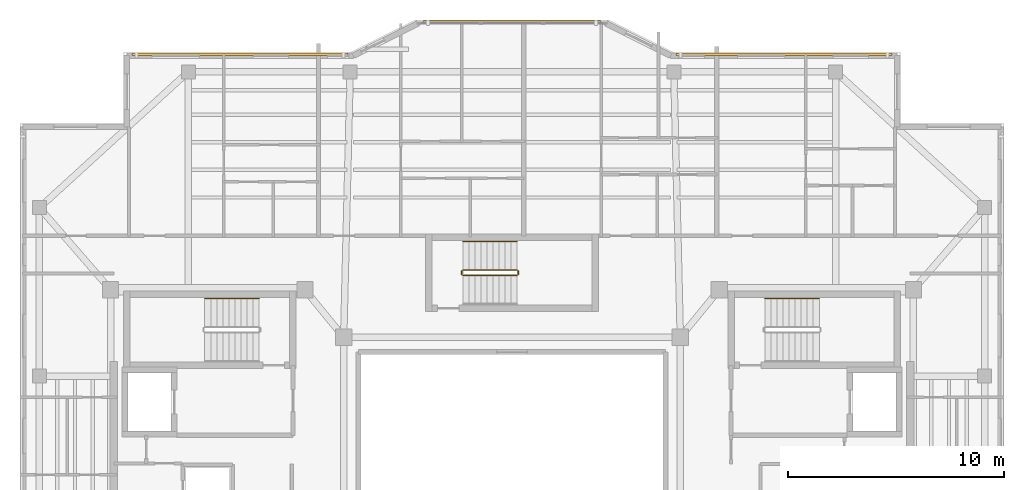
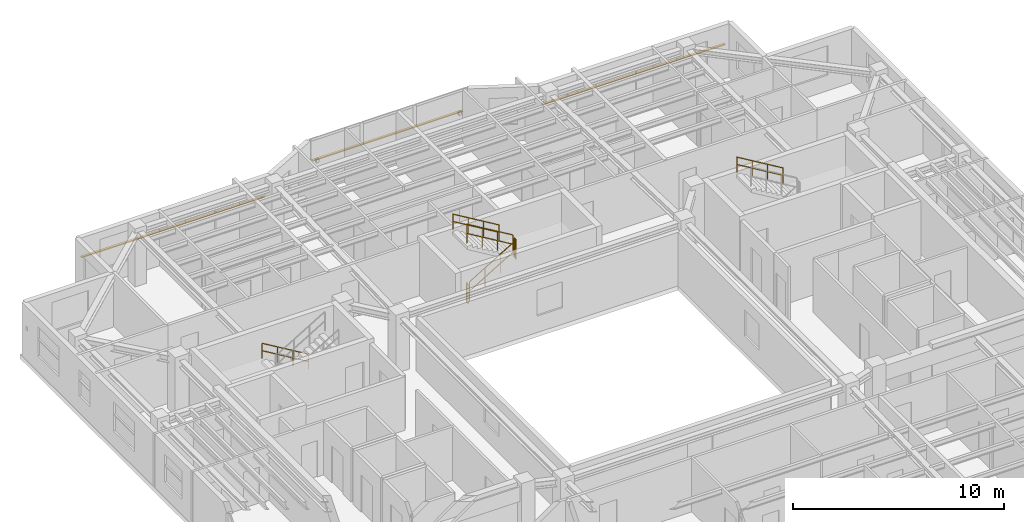
# One storey, part 15 of 15: 7 railings, 3 shading devices.
"""IFC4 building model written with IfcOpenShell, lengths in metres."""

from ifc_helpers import new_model, si_unit, direction, frame, origin, origin_2d, place, context, subcontext, project, spatial, rectangle, circle, extrude, material, material_profile, profile_set, type_object, element, save


model = new_model("IFC4")

# Units and contexts
model_context = context("Model", 3, precision=1e-05, world=origin(), true_north=direction((0.0, 1.0)))
body_context = subcontext(model_context, "Body", "Model", "MODEL_VIEW")
ifc_project = project(units=[si_unit("LENGTHUNIT", "METRE"), si_unit("AREAUNIT", "SQUARE_METRE"), si_unit("VOLUMEUNIT", "CUBIC_METRE"), si_unit("PLANEANGLEUNIT", "RADIAN"), si_unit("MASSUNIT", "GRAM", prefix="KILO")], contexts=[model_context])

# Site, building, storey
site_placement = place(None, origin())
site = spatial("IfcSite", under=ifc_project, at=site_placement, CompositionType="ELEMENT")
building_placement = place(site_placement, origin())
building = spatial("IfcBuilding", under=site, at=building_placement, Name="Tarnavaz Court Tower", CompositionType="ELEMENT")
storey_placement = place(building_placement, frame((0.0, 0.0, 241.5)))
storey = spatial("IfcBuildingStorey", under=building, at=storey_placement, Name="L65", CompositionType="ELEMENT", Elevation=241.5)

# Railings
ifc_material_1 = material(Name="Brushed Stainless Steel", Category="steel")
railing_type_1 = type_object("IfcRailingType", Name="RL-HANDRAIL-900", PredefinedType="HANDRAIL", material=ifc_material_1)
for number, where, name in (
    (1, (-11.719970703125, 9.590087890625, 0.16748046875), "L65 ST-W1 stair handrail 1"),
    (2, (14.239990234375, 9.590087890625, 1.842529296875), "L65 ST-E1 stair handrail 2"),
    (3, (0.239990234375, 12.239990234375, 1.842529296875), "L65 ST-N1 stair handrail 2"),
):
    element("IfcRailing", number, at=place(storey_placement, frame(where)), inside=storey, type_object=railing_type_1, Name=name, PredefinedType="HANDRAIL", context=body_context, shape_type="SweptSolid", body=[
        extrude(circle(Radius=0.02392578125, at=origin_2d()), frame((0.0, 0.0, 0.8759765625), z_axis=(-0.858159760407, 0.0, 0.513382728203), x_axis=(0.0, -1.0, 0.0)), (0.0, 0.0, 1.0), 2.9365234375),
        extrude(circle(Radius=0.02392578125, at=origin_2d()), frame((0.0, 0.0, 0.449951171875), z_axis=(-0.858159760407, 0.0, 0.513382728203), x_axis=(0.0, -1.0, 0.0)), (0.0, 0.0, 1.0), 2.9365234375),
        extrude(circle(Radius=0.02099609375, at=origin_2d()), origin(), (0.0, 0.0, 1.0), 0.851806640625),
        extrude(circle(Radius=0.02099609375, at=origin_2d()), frame((-0.840087890625, 0.0, 0.50244140625)), (0.0, 0.0, 1.0), 0.851806640625),
        extrude(circle(Radius=0.02099609375, at=origin_2d()), frame((-1.679931640625, 0.0, 1.005126953125)), (0.0, 0.0, 1.0), 0.851806640625),
        extrude(circle(Radius=0.02099609375, at=origin_2d()), frame((-2.52001953125, 0.0, 1.507568359375)), (0.0, 0.0, 1.0), 0.851806640625),
    ])
ifc_material_2 = material(Name="Galvanized Painted Tubular Steel", Category="steel")
railing_type_2 = type_object("IfcRailingType", Name="RL-STGUARD-1120", PredefinedType="GUARDRAIL", material=ifc_material_2)
railing_1_placement = place(storey_placement, frame((-2.280029296875, 10.669921875, 0.16748046875)))
element("IfcRailing", 4, at=railing_1_placement, inside=storey, type_object=railing_type_2, Name="L65 ST-N1 stair guard 1", PredefinedType="GUARDRAIL", context=body_context, shape_type="SweptSolid", body=[
    extrude(circle(Radius=0.02392578125, at=origin_2d()), frame((0.0, 0.0, 1.09619140625), z_axis=(0.858159760407, 0.0, 0.513382728203), x_axis=(0.0, 1.0, 0.0)), (0.0, 0.0, 1.0), 2.9365234375),
    extrude(circle(Radius=0.02392578125, at=origin_2d()), frame((0.0, 0.0, 0.56005859375), z_axis=(0.858159760407, 0.0, 0.513382728203), x_axis=(0.0, 1.0, 0.0)), (0.0, 0.0, 1.0), 2.9365234375),
    extrude(circle(Radius=0.02099609375, at=origin_2d()), origin(), (0.0, 0.0, 1.0), 1.072021484375),
    extrude(circle(Radius=0.02099609375, at=origin_2d()), frame((0.840087890625, 0.0, 0.50244140625)), (0.0, 0.0, 1.0), 1.072021484375),
    extrude(circle(Radius=0.02099609375, at=origin_2d()), frame((1.679931640625, 0.0, 1.005126953125)), (0.0, 0.0, 1.0), 1.072021484375),
    extrude(circle(Radius=0.02099609375, at=origin_2d()), frame((2.52001953125, 0.0, 1.507568359375)), (0.0, 0.0, 1.0), 1.072021484375),
])
railing_2_placement = place(storey_placement, frame((0.2900390625, 10.719970703125, 1.675048828125)))
element("IfcRailing", 5, at=railing_2_placement, inside=storey, type_object=railing_type_2, Name="L65 ST-N1 stair guard 2", PredefinedType="GUARDRAIL", context=body_context, shape_type="SweptSolid", body=[
    extrude(circle(Radius=0.02392578125, at=origin_2d()), frame((0.0, 0.0, 1.09619140625), z_axis=(0.0, 1.0, 0.0), x_axis=(-1.0, 0.0, 0.0)), (0.0, 0.0, 1.0), 0.150146484375),
    extrude(circle(Radius=0.02392578125, at=origin_2d()), frame((0.0, 0.0, 0.56005859375), z_axis=(0.0, 1.0, 0.0), x_axis=(-1.0, 0.0, 0.0)), (0.0, 0.0, 1.0), 0.150146484375),
    extrude(circle(Radius=0.02099609375, at=origin_2d()), origin(), (0.0, 0.0, 1.0), 1.072021484375),
    extrude(circle(Radius=0.02099609375, at=origin_2d()), frame((0.0, 0.150146484375, 0.0)), (0.0, 0.0, 1.0), 1.072021484375),
])
railing_3_placement = place(storey_placement, frame((0.239990234375, 10.919921875, 1.842529296875)))
element("IfcRailing", 6, at=railing_3_placement, inside=storey, type_object=railing_type_2, Name="L65 ST-N1 stair guard 3", PredefinedType="GUARDRAIL", context=body_context, shape_type="SweptSolid", body=[
    extrude(circle(Radius=0.02392578125, at=origin_2d()), frame((0.0, 0.0, 1.09619140625), z_axis=(-0.858159760407, 0.0, 0.513382728203), x_axis=(0.0, -1.0, 0.0)), (0.0, 0.0, 1.0), 2.9365234375),
    extrude(circle(Radius=0.02392578125, at=origin_2d()), frame((0.0, 0.0, 0.56005859375), z_axis=(-0.858159760407, 0.0, 0.513382728203), x_axis=(0.0, -1.0, 0.0)), (0.0, 0.0, 1.0), 2.9365234375),
    extrude(circle(Radius=0.02099609375, at=origin_2d()), origin(), (0.0, 0.0, 1.0), 1.072021484375),
    extrude(circle(Radius=0.02099609375, at=origin_2d()), frame((-0.840087890625, 0.0, 0.50244140625)), (0.0, 0.0, 1.0), 1.072021484375),
    extrude(circle(Radius=0.02099609375, at=origin_2d()), frame((-1.679931640625, 0.0, 1.005126953125)), (0.0, 0.0, 1.0), 1.072021484375),
    extrude(circle(Radius=0.02099609375, at=origin_2d()), frame((-2.52001953125, 0.0, 1.507568359375)), (0.0, 0.0, 1.0), 1.072021484375),
])
railing_4_placement = place(storey_placement, frame((-2.330078125, 10.719970703125, 0.0)))
element("IfcRailing", 7, at=railing_4_placement, inside=storey, type_object=railing_type_2, Name="L65 ST-N1 stair guard 4", PredefinedType="GUARDRAIL", context=body_context, shape_type="SweptSolid", body=[
    extrude(circle(Radius=0.02392578125, at=origin_2d()), frame((0.0, 0.0, 1.09619140625), z_axis=(0.0, 1.0, 0.0), x_axis=(-1.0, 0.0, 0.0)), (0.0, 0.0, 1.0), 0.150146484375),
    extrude(circle(Radius=0.02392578125, at=origin_2d()), frame((0.0, 0.0, 0.56005859375), z_axis=(0.0, 1.0, 0.0), x_axis=(-1.0, 0.0, 0.0)), (0.0, 0.0, 1.0), 0.150146484375),
    extrude(circle(Radius=0.02099609375, at=origin_2d()), origin(), (0.0, 0.0, 1.0), 1.072021484375),
    extrude(circle(Radius=0.02099609375, at=origin_2d()), frame((0.0, 0.150146484375, 0.0)), (0.0, 0.0, 1.0), 1.072021484375),
])

# Shading devices
ifc_material_3 = material(Name="Kiln-Fired Khorasan Terracotta Ceramic", Category="masonry")
ifc_material_profile = material_profile(ifc_material_3, rectangle(XDim=0.1201171875, YDim=0.06005859375, at=origin_2d()), Name="TC BAGUETTE 120X60")
ifc_profile_set = profile_set([ifc_material_profile], Name="Kiln-Fired Khorasan Terracotta Ceramic")
shading_device_type = type_object("IfcShadingDeviceType", Name="SD-BAG-120", PredefinedType="USERDEFINED", material=ifc_profile_set)
shading_device_1_placement = place(storey_placement, frame((-17.60009765625, 20.909912109375, 1.85009765625), z_axis=(1.0, 0.0, 0.0), x_axis=(0.0, 1.0, 0.0)))
element("IfcShadingDevice", 8, at=shading_device_1_placement, inside=storey, type_object=shading_device_type, Name="L65 Terracotta Baguette Screen FBG05", ObjectType="BAGUETTE", PredefinedType="USERDEFINED", context=body_context, shape_type="SweptSolid", body=[
    extrude(rectangle(XDim=0.1201171875, YDim=0.06005859375, at=origin_2d()), origin(), (0.0, 0.0, 1.0), 10.0),
])
shading_device_2_placement = place(storey_placement, frame((-4.10009765625, 22.409912109375, 1.800048828125), z_axis=(1.0, 0.0, 0.0), x_axis=(0.0, 1.0, 0.0)))
element("IfcShadingDevice", 9, at=shading_device_2_placement, inside=storey, type_object=shading_device_type, Name="L65 Terracotta Baguette Screen PBG7", ObjectType="BAGUETTE", PredefinedType="USERDEFINED", context=body_context, shape_type="SweptSolid", body=[
    extrude(rectangle(XDim=0.1201171875, YDim=0.06005859375, at=origin_2d()), origin(), (0.0, 0.0, 1.0), 8.2001953125),
])
shading_device_3_placement = place(storey_placement, frame((7.60009765625, 20.909912109375, 1.85009765625), z_axis=(1.0, 0.0, 0.0), x_axis=(0.0, 1.0, 0.0)))
element("IfcShadingDevice", 10, at=shading_device_3_placement, inside=storey, type_object=shading_device_type, Name="L65 Terracotta Baguette Screen FBG09", ObjectType="BAGUETTE", PredefinedType="USERDEFINED", context=body_context, shape_type="SweptSolid", body=[
    extrude(rectangle(XDim=0.1201171875, YDim=0.06005859375, at=origin_2d()), origin(), (0.0, 0.0, 1.0), 10.0),
])

save(model, "model.ifc")
